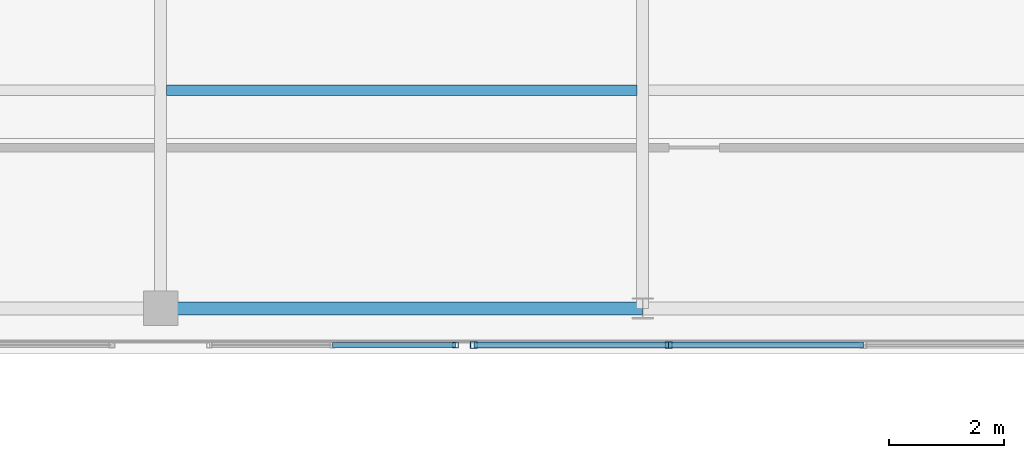
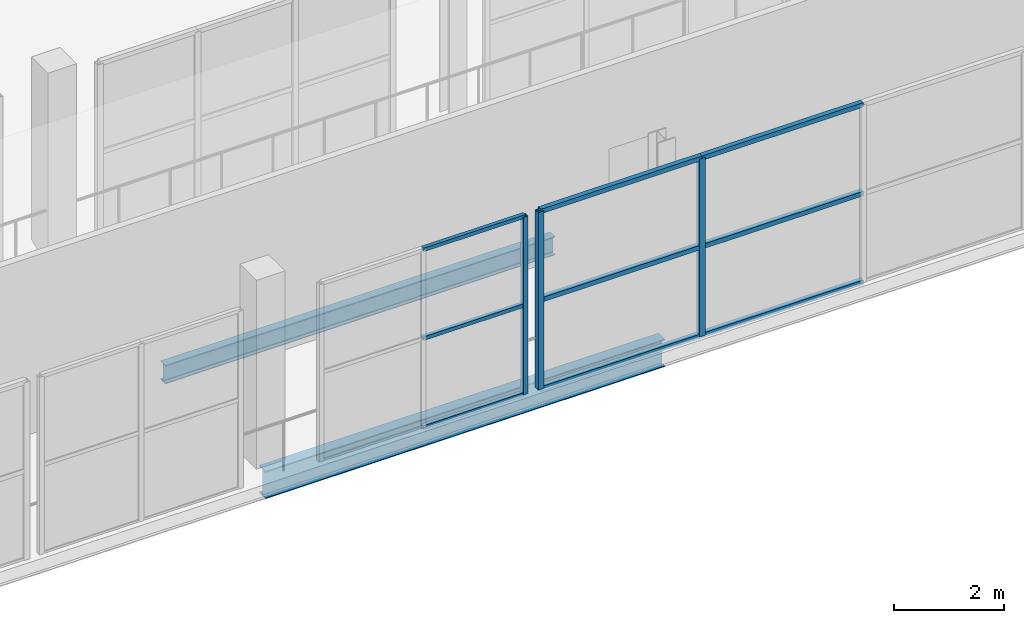
# One storey, part 87 of 217: 12 members, 2 beams, 2 elements without a shape of their own.
"""IFC4 building model written with IfcOpenShell, lengths in metres."""

from ifc_helpers import new_model, si_unit, direction, frame, origin, origin_2d, place, context, subcontext, project, spatial, hollow_rectangle, i_section, extrude, material, material_profile, profile_set, type_object, element, aggregate, save


model = new_model("IFC4")

# Units and contexts
model_context = context("Model", 3, precision=1e-05, world=origin(), true_north=direction((0.0, 1.0)))
body_context = subcontext(model_context, "Body", "Model", "MODEL_VIEW")
ifc_project = project(units=[si_unit("LENGTHUNIT", "METRE"), si_unit("AREAUNIT", "SQUARE_METRE"), si_unit("VOLUMEUNIT", "CUBIC_METRE"), si_unit("PLANEANGLEUNIT", "RADIAN"), si_unit("MASSUNIT", "GRAM", prefix="KILO")], contexts=[model_context])

# Site, building, storey
site_placement = place(None, origin())
site = spatial("IfcSite", under=ifc_project, at=site_placement, CompositionType="ELEMENT")
building_placement = place(site_placement, origin())
building = spatial("IfcBuilding", under=site, at=building_placement, Name="Zuvorla Pavilion Media Centre", CompositionType="ELEMENT")
storey_placement = place(building_placement, frame((0.0, 0.0, 9.60009765625)))
storey = spatial("IfcBuildingStorey", under=building, at=storey_placement, Name="L02", CompositionType="ELEMENT", Elevation=9.60009765625)

# Beams
ifc_material_1 = material(Name="Steel S355", Category="steel")
ifc_material_profile_1 = material_profile(ifc_material_1, i_section(OverallWidth=0.1787109375, OverallDepth=0.409423828125, WebThickness=0.0087890625, FlangeThickness=0.014404296875, FilletRadius=0.01025390625, at=origin_2d()), Name="UB 406x178x67")
ifc_profile_set_1 = profile_set([ifc_material_profile_1], Name="Steel S355")
beam_type_1 = type_object("IfcBeamType", Name="BM-UB406", PredefinedType="JOIST", material=ifc_profile_set_1)
beam_1_placement = place(storey_placement, frame((117.300048828125, 85.800048828125, -0.472900390625), z_axis=(1.0, 0.0, 0.0), x_axis=(0.0, 1.0, 0.0)))
element("IfcBeam", 1, at=beam_1_placement, inside=storey, type_object=beam_type_1, Name="L02 joist J02 1033", PredefinedType="JOIST", context=body_context, shape_type="SweptSolid", body=[
    extrude(i_section(OverallWidth=0.1787109375, OverallDepth=0.409423828125, WebThickness=0.0087890625, FlangeThickness=0.014404296875, FilletRadius=0.01025390625, at=origin_2d()), origin(), (0.0, 0.0, 1.0), 8.199951171875),
])
ifc_material_profile_2 = material_profile(ifc_material_1, i_section(OverallWidth=0.22900390625, OverallDepth=0.6123046875, WebThickness=0.011962890625, FlangeThickness=0.01953125, FilletRadius=0.0126953125, at=origin_2d()), Name="UB 610x229x125")
ifc_profile_set_2 = profile_set([ifc_material_profile_2], Name="Steel S355")
beam_type_2 = type_object("IfcBeamType", Name="BM-UB610", PredefinedType="BEAM", material=ifc_profile_set_2)
beam_2_placement = place(storey_placement, frame((117.199951171875, 82.0, -0.57421875), z_axis=(1.0, 0.0, 0.0), x_axis=(0.0, 1.0, 0.0)))
element("IfcBeam", 2, at=beam_2_placement, inside=storey, type_object=beam_type_2, Name="L02 beam B07 870", PredefinedType="BEAM", context=body_context, shape_type="SweptSolid", body=[
    extrude(i_section(OverallWidth=0.22900390625, OverallDepth=0.6123046875, WebThickness=0.011962890625, FlangeThickness=0.01953125, FilletRadius=0.0126953125, at=origin_2d()), origin(), (0.0, 0.0, 1.0), 8.400146484375),
])

# Curtain wall, member
ifc_material_2 = material(Name="Unitised anodised aluminium and solar glass curtain wall", Category="aluminium")
curtain_wall_type_1 = type_object("IfcCurtainWallType", Name="CW-SYS-51", PredefinedType="USERDEFINED", material=ifc_material_2)
curtain_wall_1_placement = place(storey_placement, origin())
curtain_wall_1 = element("IfcCurtainWall", 3, at=curtain_wall_1_placement, inside=storey, type_object=curtain_wall_type_1, Name="L02 curtain wall CW51 77", ObjectType="CURTAIN WALL", PredefinedType="USERDEFINED")
ifc_material_3 = material(Name="Anodised aluminium 6063-T6", Category="aluminium")
ifc_material_profile_3 = material_profile(ifc_material_3, hollow_rectangle(XDim=0.10009765625, YDim=0.10009765625, WallThickness=0.00439453125, at=origin_2d()), Name="ALU MULL 100x100")
ifc_profile_set_3 = profile_set([ifc_material_profile_3], Name="Anodised aluminium 6063-T6")
member_type_1 = type_object("IfcMemberType", Name="CW-MULL-100", PredefinedType="MULLION", material=ifc_profile_set_3)
member_1_placement = place(storey_placement, frame((122.340087890625, 81.360107421875, 0.0), z_axis=(0.0, 0.0, 1.0), x_axis=(1.0, 0.0, 0.0)))
member_1 = element("IfcMember", 4, at=member_1_placement, type_object=member_type_1, Name="CW51 mullion 1", PredefinedType="MULLION", context=body_context, shape_type="SweptSolid", body=[
    extrude(hollow_rectangle(XDim=0.10009765625, YDim=0.10009765625, WallThickness=0.00439453125, at=origin_2d()), origin(), (0.0, 0.0, 1.0), 3.949951171875),
])

# Curtain wall, members
curtain_wall_type_2 = type_object("IfcCurtainWallType", Name="CW-SYS-30", PredefinedType="USERDEFINED", material=ifc_material_2)
curtain_wall_2_placement = place(storey_placement, origin())
curtain_wall_2 = element("IfcCurtainWall", 5, at=curtain_wall_2_placement, inside=storey, type_object=curtain_wall_type_2, Name="L02 curtain wall CW30 81", ObjectType="CURTAIN WALL", PredefinedType="USERDEFINED")
ifc_material_profile_4 = material_profile(ifc_material_3, hollow_rectangle(XDim=0.1201171875, YDim=0.1201171875, WallThickness=0.0048828125, at=origin_2d()), Name="ALU MULL 120x120")
ifc_profile_set_4 = profile_set([ifc_material_profile_4], Name="Anodised aluminium 6063-T6")
member_type_2 = type_object("IfcMemberType", Name="CW-MULL-120", PredefinedType="MULLION", material=ifc_profile_set_4)
member_2_placement = place(storey_placement, frame((126.05322265625, 81.360107421875, 0.0), z_axis=(0.0, 0.0, 1.0), x_axis=(1.0, 0.0, 0.0)))
member_2 = element("IfcMember", 6, at=member_2_placement, type_object=member_type_2, Name="CW30 mullion 3", PredefinedType="MULLION", context=body_context, shape_type="SweptSolid", body=[
    extrude(hollow_rectangle(XDim=0.1201171875, YDim=0.1201171875, WallThickness=0.0048828125, at=origin_2d()), origin(), (0.0, 0.0, 1.0), 3.949951171875),
])
member_3_placement = place(storey_placement, frame((122.659912109375, 81.360107421875, 0.0), z_axis=(0.0, 0.0, 1.0), x_axis=(1.0, 0.0, 0.0)))
member_3 = element("IfcMember", 7, at=member_3_placement, type_object=member_type_2, Name="CW30 mullion 4", PredefinedType="MULLION", context=body_context, shape_type="SweptSolid", body=[
    extrude(hollow_rectangle(XDim=0.1201171875, YDim=0.1201171875, WallThickness=0.0048828125, at=origin_2d()), origin(), (0.0, 0.0, 1.0), 3.949951171875),
])
ifc_material_profile_5 = material_profile(ifc_material_3, hollow_rectangle(XDim=0.10009765625, YDim=0.10009765625, WallThickness=0.00439453125, at=origin_2d()), Name="ALU TRAN 100x100")
ifc_profile_set_5 = profile_set([ifc_material_profile_5], Name="Anodised aluminium 6063-T6")
member_type_3 = type_object("IfcMemberType", Name="CW-TRAN-100", PredefinedType="USERDEFINED", material=ifc_profile_set_5)
member_4_placement = place(storey_placement, frame((129.44677734375, 81.360107421875, 0.0), z_axis=(-1.0, 0.0, 0.0), x_axis=(0.0, -1.0, 0.0)))
member_4 = element("IfcMember", 8, at=member_4_placement, type_object=member_type_3, Name="CW30 transom 2.1", ObjectType="TRANSOM", PredefinedType="USERDEFINED", context=body_context, shape_type="SweptSolid", body=[
    extrude(hollow_rectangle(XDim=0.10009765625, YDim=0.10009765625, WallThickness=0.00439453125, at=origin_2d()), origin(), (0.0, 0.0, 1.0), 3.3935546875),
])
member_5_placement = place(storey_placement, frame((129.44677734375, 81.360107421875, 1.974853515625), z_axis=(-1.0, 0.0, 0.0), x_axis=(0.0, -1.0, 0.0)))
member_5 = element("IfcMember", 9, at=member_5_placement, type_object=member_type_3, Name="CW30 transom 2.2", ObjectType="TRANSOM", PredefinedType="USERDEFINED", context=body_context, shape_type="SweptSolid", body=[
    extrude(hollow_rectangle(XDim=0.10009765625, YDim=0.10009765625, WallThickness=0.00439453125, at=origin_2d()), origin(), (0.0, 0.0, 1.0), 3.3935546875),
])
member_6_placement = place(storey_placement, frame((129.44677734375, 81.360107421875, 3.949951171875), z_axis=(-1.0, 0.0, 0.0), x_axis=(0.0, -1.0, 0.0)))
member_6 = element("IfcMember", 10, at=member_6_placement, type_object=member_type_3, Name="CW30 transom 2.3", ObjectType="TRANSOM", PredefinedType="USERDEFINED", context=body_context, shape_type="SweptSolid", body=[
    extrude(hollow_rectangle(XDim=0.10009765625, YDim=0.10009765625, WallThickness=0.00439453125, at=origin_2d()), origin(), (0.0, 0.0, 1.0), 3.3935546875),
])
member_7_placement = place(storey_placement, frame((126.05322265625, 81.360107421875, 0.0), z_axis=(-1.0, 0.0, 0.0), x_axis=(0.0, -1.0, 0.0)))
member_7 = element("IfcMember", 11, at=member_7_placement, type_object=member_type_3, Name="CW30 transom 3.1", ObjectType="TRANSOM", PredefinedType="USERDEFINED", context=body_context, shape_type="SweptSolid", body=[
    extrude(hollow_rectangle(XDim=0.10009765625, YDim=0.10009765625, WallThickness=0.00439453125, at=origin_2d()), origin(), (0.0, 0.0, 1.0), 3.393310546875),
])
member_8_placement = place(storey_placement, frame((126.05322265625, 81.360107421875, 1.974853515625), z_axis=(-1.0, 0.0, 0.0), x_axis=(0.0, -1.0, 0.0)))
member_8 = element("IfcMember", 12, at=member_8_placement, type_object=member_type_3, Name="CW30 transom 3.2", ObjectType="TRANSOM", PredefinedType="USERDEFINED", context=body_context, shape_type="SweptSolid", body=[
    extrude(hollow_rectangle(XDim=0.10009765625, YDim=0.10009765625, WallThickness=0.00439453125, at=origin_2d()), origin(), (0.0, 0.0, 1.0), 3.393310546875),
])
member_9_placement = place(storey_placement, frame((126.05322265625, 81.360107421875, 3.949951171875), z_axis=(-1.0, 0.0, 0.0), x_axis=(0.0, -1.0, 0.0)))
member_9 = element("IfcMember", 13, at=member_9_placement, type_object=member_type_3, Name="CW30 transom 3.3", ObjectType="TRANSOM", PredefinedType="USERDEFINED", context=body_context, shape_type="SweptSolid", body=[
    extrude(hollow_rectangle(XDim=0.10009765625, YDim=0.10009765625, WallThickness=0.00439453125, at=origin_2d()), origin(), (0.0, 0.0, 1.0), 3.393310546875),
])
aggregate(curtain_wall_2, [member_2, member_3, member_4, member_5, member_6, member_7, member_8, member_9])

# Member
ifc_material_profile_6 = material_profile(ifc_material_3, hollow_rectangle(XDim=0.080078125, YDim=0.080078125, WallThickness=0.00390625, at=origin_2d()), Name="ALU TRAN 80x80")
ifc_profile_set_6 = profile_set([ifc_material_profile_6], Name="Anodised aluminium 6063-T6")
member_type_4 = type_object("IfcMemberType", Name="CW-TRAN-80", PredefinedType="USERDEFINED", material=ifc_profile_set_6)
member_10_placement = place(storey_placement, frame((122.340087890625, 81.360107421875, 0.0), z_axis=(-1.0, 0.0, 0.0), x_axis=(0.0, -1.0, 0.0)))
member_10 = element("IfcMember", 14, at=member_10_placement, type_object=member_type_4, Name="CW51 transom 1.1", ObjectType="TRANSOM", PredefinedType="USERDEFINED", context=body_context, shape_type="SweptSolid", body=[
    extrude(hollow_rectangle(XDim=0.080078125, YDim=0.080078125, WallThickness=0.00390625, at=origin_2d()), origin(), (0.0, 0.0, 1.0), 2.14501953125),
])

member_11_placement = place(storey_placement, frame((122.340087890625, 81.360107421875, 1.974853515625), z_axis=(-1.0, 0.0, 0.0), x_axis=(0.0, -1.0, 0.0)))
member_11 = element("IfcMember", 15, at=member_11_placement, type_object=member_type_4, Name="CW51 transom 1.2", ObjectType="TRANSOM", PredefinedType="USERDEFINED", context=body_context, shape_type="SweptSolid", body=[
    extrude(hollow_rectangle(XDim=0.080078125, YDim=0.080078125, WallThickness=0.00390625, at=origin_2d()), origin(), (0.0, 0.0, 1.0), 2.14501953125),
])

member_12_placement = place(storey_placement, frame((122.340087890625, 81.360107421875, 3.949951171875), z_axis=(-1.0, 0.0, 0.0), x_axis=(0.0, -1.0, 0.0)))
member_12 = element("IfcMember", 16, at=member_12_placement, type_object=member_type_4, Name="CW51 transom 1.3", ObjectType="TRANSOM", PredefinedType="USERDEFINED", context=body_context, shape_type="SweptSolid", body=[
    extrude(hollow_rectangle(XDim=0.080078125, YDim=0.080078125, WallThickness=0.00390625, at=origin_2d()), origin(), (0.0, 0.0, 1.0), 2.14501953125),
])

aggregate(curtain_wall_1, [member_1, member_10, member_11, member_12])

save(model, "model.ifc")
